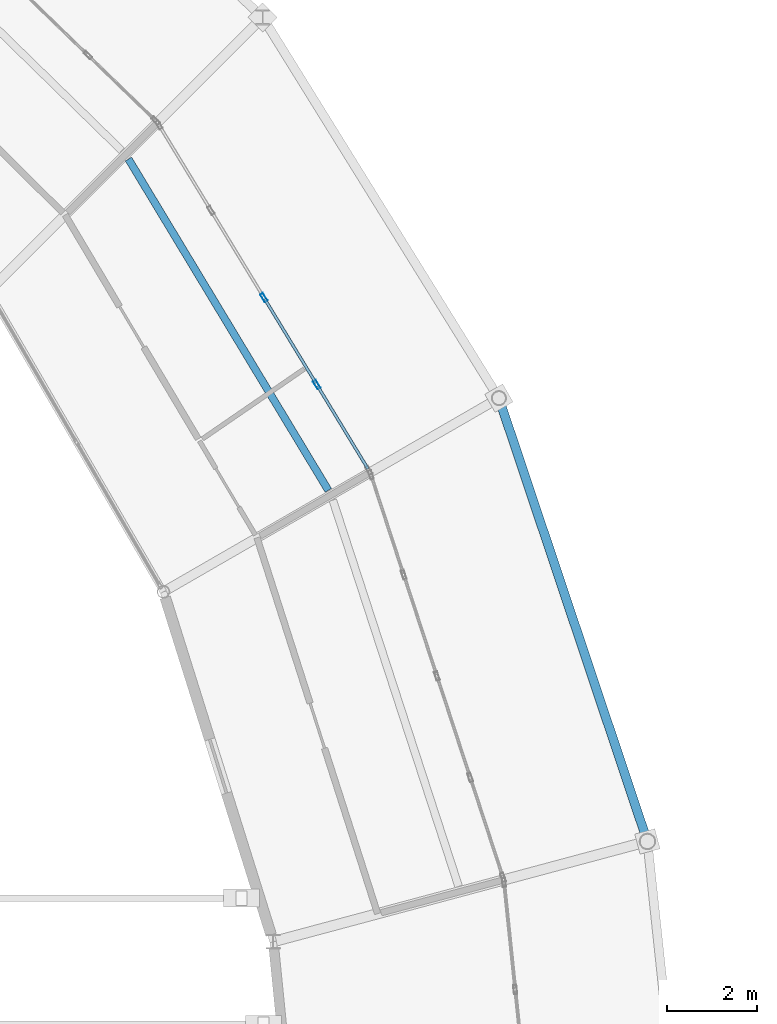
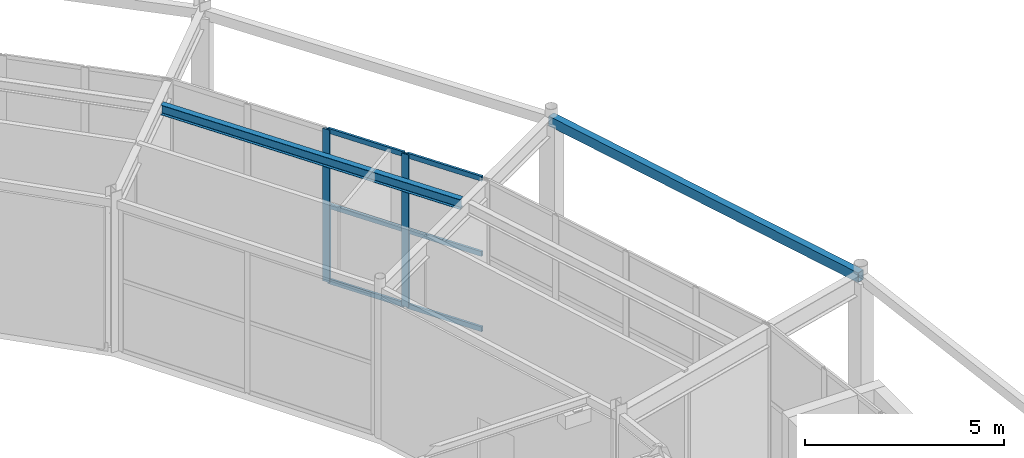
# One storey, part 85 of 144: 8 members, 2 beams, 1 element without a shape of its own.
"""IFC4 building model written with IfcOpenShell, lengths in metres."""

from ifc_helpers import new_model, si_unit, direction, frame, origin, origin_2d, place, context, subcontext, project, spatial, hollow_rectangle, i_section, extrude, material, material_profile, profile_set, type_object, element, aggregate, save


model = new_model("IFC4")

# Units and contexts
model_context = context("Model", 3, precision=1e-05, world=origin(), true_north=direction((0.0, 1.0)))
body_context = subcontext(model_context, "Body", "Model", "MODEL_VIEW")
ifc_project = project(units=[si_unit("LENGTHUNIT", "METRE"), si_unit("AREAUNIT", "SQUARE_METRE"), si_unit("VOLUMEUNIT", "CUBIC_METRE"), si_unit("PLANEANGLEUNIT", "RADIAN"), si_unit("MASSUNIT", "GRAM", prefix="KILO")], contexts=[model_context])

# Site, building, storey
site_placement = place(None, origin())
site = spatial("IfcSite", under=ifc_project, at=site_placement, CompositionType="ELEMENT")
building_placement = place(site_placement, origin())
building = spatial("IfcBuilding", under=site, at=building_placement, Name="Karori Crest Natural Sciences Institute", CompositionType="ELEMENT")
storey_placement = place(building_placement, origin())
storey = spatial("IfcBuildingStorey", under=building, at=storey_placement, Name="L00", CompositionType="ELEMENT", Elevation=0.0)

# Beams
ifc_material_1 = material(Name="Structural steel AS/NZS 3679.1 Grade 350", Category="steel")
ifc_material_profile_1 = material_profile(ifc_material_1, i_section(OverallWidth=0.1650390625, OverallDepth=0.303955078125, WebThickness=0.006103515625, FlangeThickness=0.01025390625, FilletRadius=0.010986328125, at=origin_2d()), Name="310UB40.4")
ifc_profile_set_1 = profile_set([ifc_material_profile_1], Name="Structural steel AS/NZS 3679.1 Grade 350")
beam_type_1 = type_object("IfcBeamType", Name="BT-10", PredefinedType="BEAM", material=ifc_profile_set_1)
beam_1_placement = place(storey_placement, frame((91.19287109375, 68.252685546875, 4.488037109375), z_axis=(-0.516601017309, 0.856226248672, 0.0), x_axis=(-0.856226248672, -0.516601017309, 0.0)))
element("IfcBeam", 1, at=beam_1_placement, inside=storey, type_object=beam_type_1, Name="Beam B-0100", PredefinedType="BEAM", context=body_context, shape_type="SweptSolid", body=[
    extrude(i_section(OverallWidth=0.1650390625, OverallDepth=0.303955078125, WebThickness=0.006103515625, FlangeThickness=0.01025390625, FilletRadius=0.010986328125, at=origin_2d()), origin(), (0.0, 0.0, 1.0), 8.5888671875),
])
ifc_material_2 = material(Name="Hollow structural steel AS/NZS 1163 Grade C350", Category="steel")
ifc_material_profile_2 = material_profile(ifc_material_2, hollow_rectangle(XDim=0.199951171875, YDim=0.300048828125, WallThickness=0.010009765625, at=origin_2d()), Name="RHS300x200x10")
ifc_profile_set_2 = profile_set([ifc_material_profile_2], Name="Hollow structural steel AS/NZS 1163 Grade C350")
beam_type_2 = type_object("IfcBeamType", Name="BT-15", PredefinedType="SPANDREL", material=ifc_profile_set_2)
beam_2_placement = place(storey_placement, frame((98.275634765625, 60.459716796875, 4.489990234375), z_axis=(-0.317681238028, 0.948197569605, 0.0), x_axis=(-0.948197569605, -0.317681238028, 0.0)))
element("IfcBeam", 2, at=beam_2_placement, inside=storey, type_object=beam_type_2, Name="Beam B-0093", PredefinedType="SPANDREL", context=body_context, shape_type="SweptSolid", body=[
    extrude(hollow_rectangle(XDim=0.199951171875, YDim=0.300048828125, WallThickness=0.010009765625, at=origin_2d()), origin(), (0.0, 0.0, 1.0), 10.3779296875),
])

# Curtain wall, members
ifc_material_3 = material(Name="Anodised architectural aluminium 6063-T6", Category="aluminium")
curtain_wall_type = type_object("IfcCurtainWallType", Name="CWT-03", PredefinedType="NOTDEFINED", material=ifc_material_3)
curtain_wall_placement = place(storey_placement, origin())
curtain_wall = element("IfcCurtainWall", 3, at=curtain_wall_placement, inside=storey, type_object=curtain_wall_type, Name="Curtain wall CW-0003", PredefinedType="NOTDEFINED")
ifc_material_profile_3 = material_profile(ifc_material_3, hollow_rectangle(XDim=0.074951171875, YDim=0.199951171875, WallThickness=0.0048828125, at=origin_2d()), Name="CWM200x75x5")
ifc_profile_set_3 = profile_set([ifc_material_profile_3], Name="Anodised architectural aluminium 6063-T6")
member_type_1 = type_object("IfcMemberType", Name="CWM-02", PredefinedType="MULLION", material=ifc_profile_set_3)
member_1_placement = place(storey_placement, frame((89.760986328125, 72.533203125, 0.0), z_axis=(0.0, 0.0, 1.0), x_axis=(0.854567337323, 0.519340606905, 0.0)))
member_1 = element("IfcMember", 4, at=member_1_placement, type_object=member_type_1, Name="CW-0003 mullion 3", PredefinedType="MULLION", context=body_context, shape_type="SweptSolid", body=[
    extrude(hollow_rectangle(XDim=0.074951171875, YDim=0.199951171875, WallThickness=0.0048828125, at=origin_2d()), origin(), (0.0, 0.0, 1.0), 4.679931640625),
])
member_2_placement = place(storey_placement, frame((90.935791015625, 70.60009765625, 0.0), z_axis=(0.0, 0.0, 1.0), x_axis=(0.854567337323, 0.519340606905, 0.0)))
member_2 = element("IfcMember", 5, at=member_2_placement, type_object=member_type_1, Name="CW-0003 mullion 4", PredefinedType="MULLION", context=body_context, shape_type="SweptSolid", body=[
    extrude(hollow_rectangle(XDim=0.074951171875, YDim=0.199951171875, WallThickness=0.0048828125, at=origin_2d()), origin(), (0.0, 0.0, 1.0), 4.679931640625),
])
ifc_material_profile_4 = material_profile(ifc_material_3, hollow_rectangle(XDim=0.06494140625, YDim=0.14990234375, WallThickness=0.00390625, at=origin_2d()), Name="CWT150x65x4")
ifc_profile_set_4 = profile_set([ifc_material_profile_4], Name="Anodised architectural aluminium 6063-T6")
member_type_2 = type_object("IfcMemberType", Name="CWT-TR2", PredefinedType="USERDEFINED", material=ifc_profile_set_4)
member_3_placement = place(storey_placement, frame((89.780517578125, 72.501220703125, 0.032470703125), z_axis=(0.519330580984, -0.85457343023, 0.0), x_axis=(0.85457343023, 0.519330580984, 0.0)))
member_3 = element("IfcMember", 6, at=member_3_placement, type_object=member_type_2, Name="CW-0003 transom 3.1", ObjectType="TRANSOM", PredefinedType="USERDEFINED", context=body_context, shape_type="SweptSolid", body=[
    extrude(hollow_rectangle(XDim=0.06494140625, YDim=0.14990234375, WallThickness=0.00390625, at=origin_2d()), origin(), (0.0, 0.0, 1.0), 2.18701171875),
])
member_4_placement = place(storey_placement, frame((89.780517578125, 72.501220703125, 2.340087890625), z_axis=(0.519330580984, -0.85457343023, 0.0), x_axis=(0.85457343023, 0.519330580984, 0.0)))
member_4 = element("IfcMember", 7, at=member_4_placement, type_object=member_type_2, Name="CW-0003 transom 3.2", ObjectType="TRANSOM", PredefinedType="USERDEFINED", context=body_context, shape_type="SweptSolid", body=[
    extrude(hollow_rectangle(XDim=0.06494140625, YDim=0.14990234375, WallThickness=0.00390625, at=origin_2d()), origin(), (0.0, 0.0, 1.0), 2.18701171875),
])
member_5_placement = place(storey_placement, frame((89.780517578125, 72.501220703125, 4.6474609375), z_axis=(0.519330580984, -0.85457343023, 0.0), x_axis=(0.85457343023, 0.519330580984, 0.0)))
member_5 = element("IfcMember", 8, at=member_5_placement, type_object=member_type_2, Name="CW-0003 transom 3.3", ObjectType="TRANSOM", PredefinedType="USERDEFINED", context=body_context, shape_type="SweptSolid", body=[
    extrude(hollow_rectangle(XDim=0.06494140625, YDim=0.14990234375, WallThickness=0.00390625, at=origin_2d()), origin(), (0.0, 0.0, 1.0), 2.18701171875),
])
member_6_placement = place(storey_placement, frame((90.955322265625, 70.568115234375, 0.032470703125), z_axis=(0.519298203002, -0.854593105728, 0.0), x_axis=(0.854593105728, 0.519298203002, 0.0)))
member_6 = element("IfcMember", 9, at=member_6_placement, type_object=member_type_2, Name="CW-0003 transom 4.1", ObjectType="TRANSOM", PredefinedType="USERDEFINED", context=body_context, shape_type="SweptSolid", body=[
    extrude(hollow_rectangle(XDim=0.06494140625, YDim=0.14990234375, WallThickness=0.00390625, at=origin_2d()), origin(), (0.0, 0.0, 1.0), 2.1494140625),
])
member_7_placement = place(storey_placement, frame((90.955322265625, 70.568115234375, 2.340087890625), z_axis=(0.519298203002, -0.854593105728, 0.0), x_axis=(0.854593105728, 0.519298203002, 0.0)))
member_7 = element("IfcMember", 10, at=member_7_placement, type_object=member_type_2, Name="CW-0003 transom 4.2", ObjectType="TRANSOM", PredefinedType="USERDEFINED", context=body_context, shape_type="SweptSolid", body=[
    extrude(hollow_rectangle(XDim=0.06494140625, YDim=0.14990234375, WallThickness=0.00390625, at=origin_2d()), origin(), (0.0, 0.0, 1.0), 2.1494140625),
])
member_8_placement = place(storey_placement, frame((90.955322265625, 70.568115234375, 4.6474609375), z_axis=(0.519298203002, -0.854593105728, 0.0), x_axis=(0.854593105728, 0.519298203002, 0.0)))
member_8 = element("IfcMember", 11, at=member_8_placement, type_object=member_type_2, Name="CW-0003 transom 4.3", ObjectType="TRANSOM", PredefinedType="USERDEFINED", context=body_context, shape_type="SweptSolid", body=[
    extrude(hollow_rectangle(XDim=0.06494140625, YDim=0.14990234375, WallThickness=0.00390625, at=origin_2d()), origin(), (0.0, 0.0, 1.0), 2.1494140625),
])
aggregate(curtain_wall, [member_1, member_2, member_3, member_4, member_5, member_6, member_7, member_8])

save(model, "model.ifc")
